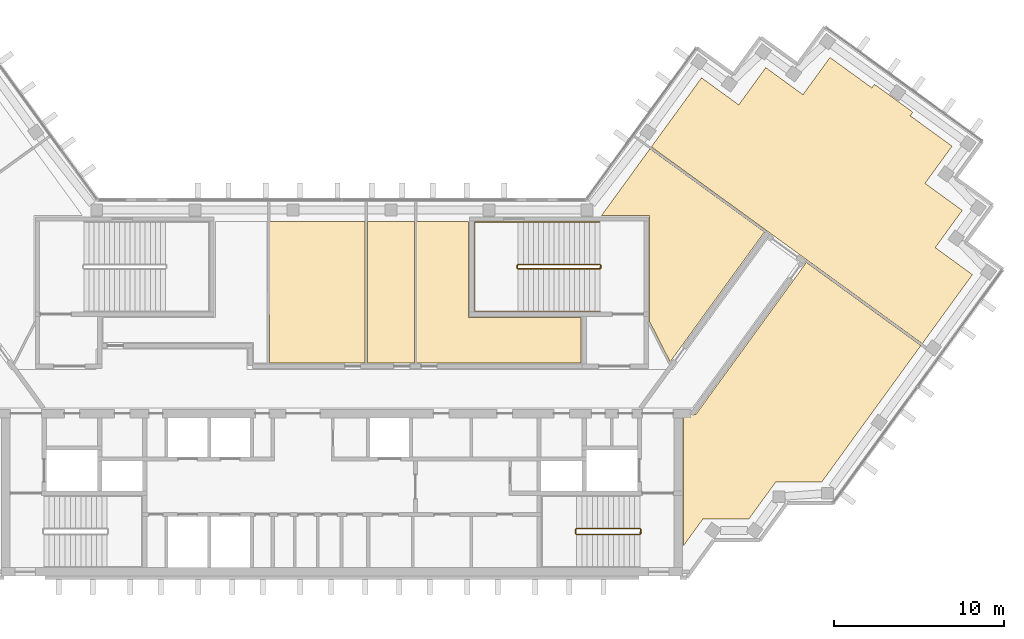
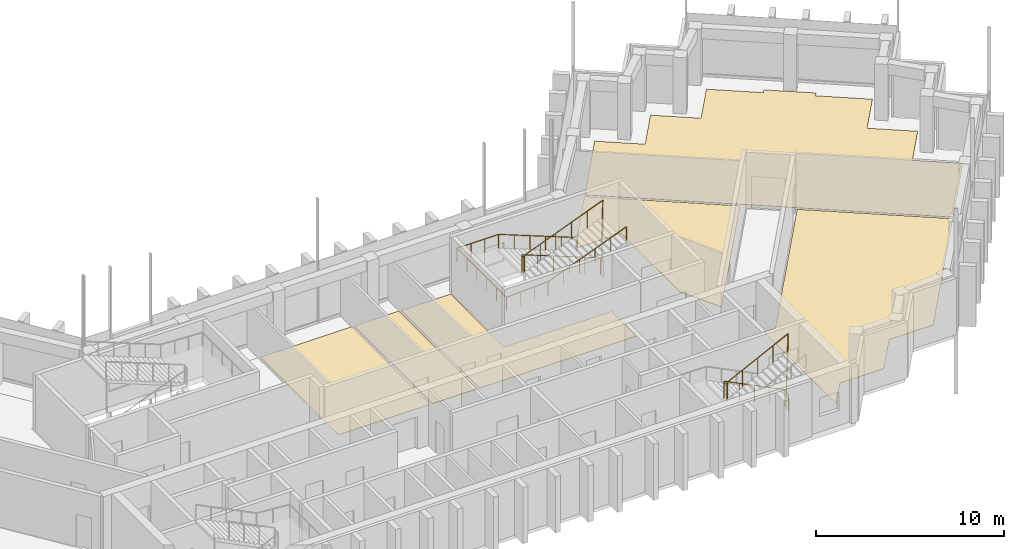
# One storey, part 14 of 14: 6 coverings, 3 railings.
"""IFC4 building model written with IfcOpenShell, lengths in metres."""

from ifc_helpers import new_model, si_unit, direction, frame, origin, origin_2d, place, context, subcontext, project, spatial, polyline, circle, outline, extrude, material, layer, layer_set, type_object, element, save


model = new_model("IFC4")

# Units and contexts
model_context = context("Model", 3, precision=1e-05, world=origin(), true_north=direction((0.0, 1.0)))
body_context = subcontext(model_context, "Body", "Model", "MODEL_VIEW")
ifc_project = project(units=[si_unit("LENGTHUNIT", "METRE"), si_unit("AREAUNIT", "SQUARE_METRE"), si_unit("VOLUMEUNIT", "CUBIC_METRE"), si_unit("PLANEANGLEUNIT", "RADIAN"), si_unit("MASSUNIT", "GRAM", prefix="KILO")], contexts=[model_context])

# Site, building, storey
site_placement = place(None, origin())
site = spatial("IfcSite", under=ifc_project, at=site_placement, CompositionType="ELEMENT")
building_placement = place(site_placement, origin())
building = spatial("IfcBuilding", under=site, at=building_placement, Name="Quipu Civic Tower", CompositionType="ELEMENT")
storey_placement = place(building_placement, frame((0.0, 0.0, 257.0)))
storey = spatial("IfcBuildingStorey", under=building, at=storey_placement, Name="L60", CompositionType="ELEMENT", Elevation=257.0)

# Coverings
ifc_material_1 = material(Name="Carpet tile on raised access floor")
ifc_layer_1 = layer(ifc_material_1, 0.02001953125)
ifc_layer_set_1 = layer_set([ifc_layer_1], Name="Carpet tile on raised access floor")
covering_type_1 = type_object("IfcCoveringType", Name="Carpet tile floor finish 20", PredefinedType="FLOORING", material=ifc_layer_set_1)
covering_1_placement = place(storey_placement, origin())
element("IfcCovering", 1, at=covering_1_placement, inside=storey, type_object=covering_type_1, Name="Carpet tile floor finish 20", PredefinedType="FLOORING", context=body_context, shape_type="SweptSolid", body=[
    extrude(outline(polyline([(15.238037109375, 10.169921875), (18.089111328125, 14.093994140625), (24.81201171875, 9.2109375), (19.27197265625, 1.583984375), (18.070068359375, 3.94189453125), (18.070068359375, 10.1689453125), (15.238037109375, 10.169921875)])), origin(), (0.0, 0.0, 1.0), 0.02001953125),
])
covering_2_placement = place(storey_placement, origin())
element("IfcCovering", 2, at=covering_2_placement, inside=storey, type_object=covering_type_1, Name="Carpet tile floor finish 20", PredefinedType="FLOORING", context=body_context, shape_type="SweptSolid", body=[
    extrude(outline(polyline([(-4.2490234375, 9.830078125), (1.368896484375, 9.830078125), (1.368896484375, 1.52001953125), (-4.2490234375, 1.52001953125), (-4.2490234375, 9.830078125)])), origin(), (0.0, 0.0, 1.0), 0.02001953125),
])
covering_3_placement = place(storey_placement, origin())
element("IfcCovering", 3, at=covering_3_placement, inside=storey, type_object=covering_type_1, Name="Carpet tile floor finish 20", PredefinedType="FLOORING", context=body_context, shape_type="SweptSolid", body=[
    extrude(outline(polyline([(18.172119140625, 14.20703125), (21.116943359375, 18.260986328125), (23.301025390625, 16.675048828125), (24.887939453125, 18.85791015625), (27.073974609375, 17.27197265625), (28.658935546875, 19.455078125), (31.116943359375, 17.6708984375), (31.27099609375, 17.8798828125), (33.52197265625, 16.2451171875), (33.3701171875, 16.032958984375), (35.826904296875, 14.248046875), (34.240966796875, 12.06396484375), (36.425048828125, 10.47607421875), (34.839111328125, 8.291015625), (37.02197265625, 6.7060546875), (34.077880859375, 2.652099609375), (18.172119140625, 14.20703125)])), origin(), (0.0, 0.0, 1.0), 0.02001953125),
])
covering_4_placement = place(storey_placement, origin())
element("IfcCovering", 4, at=covering_4_placement, inside=storey, type_object=covering_type_1, Name="Carpet tile floor finish 20", PredefinedType="FLOORING", context=body_context, shape_type="SweptSolid", body=[
    extrude(outline(polyline([(20.070068359375, -9.195068359375), (20.070068359375, -1.52001953125), (20.77490234375, -1.51904296875), (27.27197265625, 7.423095703125), (33.9951171875, 2.5390625), (28.181884765625, -5.4609375), (25.48193359375, -5.4619140625), (23.89501953125, -7.64599609375), (21.196044921875, -7.64599609375), (20.070068359375, -9.195068359375)])), origin(), (0.0, 0.0, 1.0), 0.02001953125),
])
covering_5_placement = place(storey_placement, origin())
element("IfcCovering", 5, at=covering_5_placement, inside=storey, type_object=covering_type_1, Name="Carpet tile floor finish 20", PredefinedType="FLOORING", context=body_context, shape_type="SweptSolid", body=[
    extrude(outline(polyline([(4.388916015625, 1.52001953125), (4.388916015625, 9.830078125), (7.429931640625, 9.830078125), (7.430908203125, 4.179931640625), (14.030029296875, 4.179931640625), (14.030029296875, 1.52001953125), (4.388916015625, 1.52001953125)])), origin(), (0.0, 0.0, 1.0), 0.02001953125),
])
ifc_material_2 = material(Name="Ceramic floor tile")
ifc_layer_2 = layer(ifc_material_2, 0.030029296875)
ifc_layer_set_2 = layer_set([ifc_layer_2], Name="Ceramic floor tile")
covering_type_2 = type_object("IfcCoveringType", Name="Ceramic tile floor finish 30", PredefinedType="FLOORING", material=ifc_layer_set_2)
covering_6_placement = place(storey_placement, origin())
element("IfcCovering", 6, at=covering_6_placement, inside=storey, type_object=covering_type_2, Name="Ceramic tile floor finish 30", PredefinedType="FLOORING", context=body_context, shape_type="SweptSolid", body=[
    extrude(outline(polyline([(1.510009765625, 1.52001953125), (1.510009765625, 9.830078125), (4.2490234375, 9.830078125), (4.2490234375, 1.52001953125), (1.510009765625, 1.52001953125)])), origin(), (0.0, 0.0, 1.0), 0.030029296875),
])

# Railings
ifc_material_3 = material(Name="Stainless steel", Category="steel")
railing_type_1 = type_object("IfcRailingType", Name="Stair guard 1100", PredefinedType="GUARDRAIL", material=ifc_material_3)
railing_1_placement = place(storey_placement, frame((17.5, -8.199951171875, 0.15380859375)))
element("IfcRailing", 7, at=railing_1_placement, inside=storey, type_object=railing_type_1, Name="Stair 2 guard", PredefinedType="GUARDRAIL", context=body_context, shape_type="SweptSolid", body=[
    extrude(circle(Radius=0.02392578125, at=origin_2d()), frame((0.0, 0.0, 1.076171875), z_axis=(-0.895751851347, 0.0, 0.444554407028), x_axis=(0.0, -1.0, 0.0)), (0.0, 0.0, 1.0), 4.15283203125),
    extrude(circle(Radius=0.02392578125, at=origin_2d()), frame((-3.719970703125, 0.0, 2.92236328125), z_axis=(-0.707106781187, -0.707106781187, 0.0), x_axis=(0.707106781187, -0.707106781187, 0.0)), (0.0, 0.0, 1.0), 0.07080078125),
    extrude(circle(Radius=0.02392578125, at=origin_2d()), frame((-3.77001953125, -0.050048828125, 2.92236328125), z_axis=(0.0, -1.0, 0.0), x_axis=(1.0, 0.0, 0.0)), (0.0, 0.0, 1.0), 0.25),
    extrude(circle(Radius=0.02392578125, at=origin_2d()), frame((-3.77001953125, -0.300048828125, 2.92236328125), z_axis=(0.295599637079, -0.295599637079, 0.908428152975), x_axis=(0.707106781187, 0.707106781187, 0.0)), (0.0, 0.0, 1.0), 0.16943359375),
    extrude(circle(Radius=0.02392578125, at=origin_2d()), frame((-3.719970703125, -0.35009765625, 3.076171875), z_axis=(0.895751851347, 0.0, 0.444554407028), x_axis=(0.0, 1.0, 0.0)), (0.0, 0.0, 1.0), 4.15283203125),
    extrude(circle(Radius=0.02392578125, at=origin_2d()), frame((0.0, -0.35009765625, 4.92236328125), z_axis=(0.012476181752, 0.074796231092, -0.997120789425), x_axis=(-0.986372223864, 0.164529134168, 0.0)), (0.0, 0.0, 1.0), 4.011474609375),
    extrude(circle(Radius=0.02392578125, at=origin_2d()), frame((0.050048828125, -0.050048828125, 0.92236328125), z_axis=(0.0, -1.0, 0.0), x_axis=(1.0, 0.0, 0.0)), (0.0, 0.0, 1.0), 0.25),
    extrude(circle(Radius=0.02099609375, at=origin_2d()), origin(), (0.0, 0.0, 1.0), 1.052001953125),
    extrude(circle(Radius=0.02099609375, at=origin_2d()), frame((-0.929931640625, 0.0, 0.46142578125)), (0.0, 0.0, 1.0), 1.052001953125),
    extrude(circle(Radius=0.02099609375, at=origin_2d()), frame((-1.85986328125, 0.0, 0.923095703125)), (0.0, 0.0, 1.0), 1.052001953125),
    extrude(circle(Radius=0.02099609375, at=origin_2d()), frame((-2.7900390625, 0.0, 1.384765625)), (0.0, 0.0, 1.0), 1.052001953125),
    extrude(circle(Radius=0.02099609375, at=origin_2d()), frame((-3.719970703125, 0.0, 1.84619140625)), (0.0, 0.0, 1.0), 1.052001953125),
    extrude(circle(Radius=0.02099609375, at=origin_2d()), frame((-3.77001953125, -0.050048828125, 1.84619140625)), (0.0, 0.0, 1.0), 1.052001953125),
    extrude(circle(Radius=0.02099609375, at=origin_2d()), frame((-3.77001953125, -0.300048828125, 1.84619140625)), (0.0, 0.0, 1.0), 1.052001953125),
    extrude(circle(Radius=0.02099609375, at=origin_2d()), frame((-3.719970703125, -0.35009765625, 2.0)), (0.0, 0.0, 1.0), 1.052001953125),
    extrude(circle(Radius=0.02099609375, at=origin_2d()), frame((-2.7900390625, -0.35009765625, 2.46142578125)), (0.0, 0.0, 1.0), 1.052001953125),
    extrude(circle(Radius=0.02099609375, at=origin_2d()), frame((-1.85986328125, -0.35009765625, 2.923095703125)), (0.0, 0.0, 1.0), 1.052001953125),
    extrude(circle(Radius=0.02099609375, at=origin_2d()), frame((-0.929931640625, -0.35009765625, 3.384765625)), (0.0, 0.0, 1.0), 1.052001953125),
    extrude(circle(Radius=0.02099609375, at=origin_2d()), frame((0.0, -0.35009765625, 3.84619140625)), (0.0, 0.0, 1.0), 1.052001953125),
    extrude(circle(Radius=0.02099609375, at=origin_2d()), frame((0.012451171875, -0.275146484375, 2.84619140625)), (0.0, 0.0, 1.0), 1.052001953125),
    extrude(circle(Radius=0.02099609375, at=origin_2d()), frame((0.02490234375, -0.2001953125, 1.84619140625)), (0.0, 0.0, 1.0), 1.052001953125),
    extrude(circle(Radius=0.02099609375, at=origin_2d()), frame((0.03759765625, -0.125, 0.84619140625)), (0.0, 0.0, 1.0), 1.052001953125),
    extrude(circle(Radius=0.02099609375, at=origin_2d()), frame((0.050048828125, -0.050048828125, -0.15380859375)), (0.0, 0.0, 1.0), 1.052001953125),
    extrude(circle(Radius=0.02099609375, at=origin_2d()), frame((0.050048828125, -0.300048828125, -0.15380859375)), (0.0, 0.0, 1.0), 1.052001953125),
])
railing_2_placement = place(storey_placement, frame((15.14990234375, 7.300048828125, 0.11767578125)))
element("IfcRailing", 8, at=railing_2_placement, inside=storey, type_object=railing_type_1, Name="Stair 4 guard", PredefinedType="GUARDRAIL", context=body_context, shape_type="SweptSolid", body=[
    extrude(circle(Radius=0.02392578125, at=origin_2d()), frame((0.0, 0.0, 1.076171875), z_axis=(-0.930970042603, 0.0, 0.365095576219), x_axis=(0.0, -1.0, 0.0)), (0.0, 0.0, 1.0), 5.15576171875),
    extrude(circle(Radius=0.02392578125, at=origin_2d()), frame((-4.7998046875, 0.0, 2.95849609375), z_axis=(-0.707106781187, -0.707106781187, 0.0), x_axis=(0.707106781187, -0.707106781187, 0.0)), (0.0, 0.0, 1.0), 0.07080078125),
    extrude(circle(Radius=0.02392578125, at=origin_2d()), frame((-4.849853515625, -0.050048828125, 2.95849609375), z_axis=(0.0, -1.0, 0.0), x_axis=(1.0, 0.0, 0.0)), (0.0, 0.0, 1.0), 0.14990234375),
    extrude(circle(Radius=0.02392578125, at=origin_2d()), frame((-4.849853515625, -0.199951171875, 2.95849609375), z_axis=(0.364463019033, -0.364463019033, 0.856932561824), x_axis=(0.707106781187, 0.707106781187, 0.0)), (0.0, 0.0, 1.0), 0.13720703125),
    extrude(circle(Radius=0.02392578125, at=origin_2d()), frame((-4.7998046875, -0.25, 3.076171875), z_axis=(0.930970042603, 0.0, 0.365095576219), x_axis=(0.0, 1.0, 0.0)), (0.0, 0.0, 1.0), 5.15576171875),
    extrude(circle(Radius=0.02392578125, at=origin_2d()), frame((0.0, -0.25, 4.95849609375), z_axis=(0.012495627992, 0.049921557685, -0.998674970829), x_axis=(-0.970072785993, 0.242814311512, 0.0)), (0.0, 0.0, 1.0), 4.00537109375),
    extrude(circle(Radius=0.02392578125, at=origin_2d()), frame((0.050048828125, -0.050048828125, 0.95849609375), z_axis=(0.0, -1.0, 0.0), x_axis=(1.0, 0.0, 0.0)), (0.0, 0.0, 1.0), 0.14990234375),
    extrude(circle(Radius=0.02099609375, at=origin_2d()), origin(), (0.0, 0.0, 1.0), 1.052001953125),
    extrude(circle(Radius=0.02099609375, at=origin_2d()), frame((-0.9599609375, 0.0, 0.37646484375)), (0.0, 0.0, 1.0), 1.052001953125),
    extrude(circle(Radius=0.02099609375, at=origin_2d()), frame((-1.919921875, 0.0, 0.7529296875)), (0.0, 0.0, 1.0), 1.052001953125),
    extrude(circle(Radius=0.02099609375, at=origin_2d()), frame((-2.8798828125, 0.0, 1.12939453125)), (0.0, 0.0, 1.0), 1.052001953125),
    extrude(circle(Radius=0.02099609375, at=origin_2d()), frame((-3.83984375, 0.0, 1.505859375)), (0.0, 0.0, 1.0), 1.052001953125),
    extrude(circle(Radius=0.02099609375, at=origin_2d()), frame((-4.7998046875, 0.0, 1.88232421875)), (0.0, 0.0, 1.0), 1.052001953125),
    extrude(circle(Radius=0.02099609375, at=origin_2d()), frame((-4.849853515625, -0.050048828125, 1.88232421875)), (0.0, 0.0, 1.0), 1.052001953125),
    extrude(circle(Radius=0.02099609375, at=origin_2d()), frame((-4.849853515625, -0.199951171875, 1.88232421875)), (0.0, 0.0, 1.0), 1.052001953125),
    extrude(circle(Radius=0.02099609375, at=origin_2d()), frame((-4.7998046875, -0.25, 2.0)), (0.0, 0.0, 1.0), 1.052001953125),
    extrude(circle(Radius=0.02099609375, at=origin_2d()), frame((-3.83984375, -0.25, 2.37646484375)), (0.0, 0.0, 1.0), 1.052001953125),
    extrude(circle(Radius=0.02099609375, at=origin_2d()), frame((-2.8798828125, -0.25, 2.7529296875)), (0.0, 0.0, 1.0), 1.052001953125),
    extrude(circle(Radius=0.02099609375, at=origin_2d()), frame((-1.919921875, -0.25, 3.12939453125)), (0.0, 0.0, 1.0), 1.052001953125),
    extrude(circle(Radius=0.02099609375, at=origin_2d()), frame((-0.9599609375, -0.25, 3.505859375)), (0.0, 0.0, 1.0), 1.052001953125),
    extrude(circle(Radius=0.02099609375, at=origin_2d()), frame((0.0, -0.25, 3.88232421875)), (0.0, 0.0, 1.0), 1.052001953125),
    extrude(circle(Radius=0.02099609375, at=origin_2d()), frame((0.012451171875, -0.199951171875, 2.88232421875)), (0.0, 0.0, 1.0), 1.052001953125),
    extrude(circle(Radius=0.02099609375, at=origin_2d()), frame((0.02490234375, -0.14990234375, 1.88232421875)), (0.0, 0.0, 1.0), 1.052001953125),
    extrude(circle(Radius=0.02099609375, at=origin_2d()), frame((0.03759765625, -0.10009765625, 0.88232421875)), (0.0, 0.0, 1.0), 1.052001953125),
    extrude(circle(Radius=0.02099609375, at=origin_2d()), frame((0.050048828125, -0.050048828125, -0.11767578125)), (0.0, 0.0, 1.0), 1.052001953125),
    extrude(circle(Radius=0.02099609375, at=origin_2d()), frame((0.050048828125, -0.199951171875, -0.11767578125)), (0.0, 0.0, 1.0), 1.052001953125),
])
ifc_material_4 = material(Name="Stainless steel", Category="steel")
railing_type_2 = type_object("IfcRailingType", Name="Stair handrail", PredefinedType="HANDRAIL", material=ifc_material_4)
railing_3_placement = place(storey_placement, frame((15.14990234375, 9.800048828125, 0.11767578125)))
element("IfcRailing", 9, at=railing_3_placement, inside=storey, type_object=railing_type_2, Name="Stair 4 handrail", PredefinedType="HANDRAIL", context=body_context, shape_type="SweptSolid", body=[
    extrude(circle(Radius=0.02392578125, at=origin_2d()), frame((0.0, 0.0, 0.8759765625), z_axis=(-0.930970042603, 0.0, 0.365095576219), x_axis=(0.0, -1.0, 0.0)), (0.0, 0.0, 1.0), 5.15576171875),
    extrude(circle(Radius=0.02392578125, at=origin_2d()), frame((-4.7998046875, 0.0, 2.75830078125), z_axis=(-1.0, 0.0, 0.0), x_axis=(0.0, -1.0, 0.0)), (0.0, 0.0, 1.0), 2.550048828125),
    extrude(circle(Radius=0.02392578125, at=origin_2d()), frame((-7.349853515625, 0.0, 2.75830078125), z_axis=(0.0, -1.0, 0.0), x_axis=(1.0, 0.0, 0.0)), (0.0, 0.0, 1.0), 5.25),
    extrude(circle(Radius=0.02392578125, at=origin_2d()), frame((-7.349853515625, -5.25, 2.75830078125), z_axis=(0.998936948642, 0.0, 0.04609742549), x_axis=(0.0, 1.0, 0.0)), (0.0, 0.0, 1.0), 2.552734375),
    extrude(circle(Radius=0.02392578125, at=origin_2d()), frame((-4.7998046875, -5.25, 2.8759765625), z_axis=(0.930970042603, 0.0, 0.365095576219), x_axis=(0.0, 1.0, 0.0)), (0.0, 0.0, 1.0), 5.15576171875),
    extrude(circle(Radius=0.02099609375, at=origin_2d()), origin(), (0.0, 0.0, 1.0), 0.851806640625),
    extrude(circle(Radius=0.02099609375, at=origin_2d()), frame((-0.9599609375, 0.0, 0.37646484375)), (0.0, 0.0, 1.0), 0.851806640625),
    extrude(circle(Radius=0.02099609375, at=origin_2d()), frame((-1.919921875, 0.0, 0.7529296875)), (0.0, 0.0, 1.0), 0.851806640625),
    extrude(circle(Radius=0.02099609375, at=origin_2d()), frame((-2.8798828125, 0.0, 1.12939453125)), (0.0, 0.0, 1.0), 0.851806640625),
    extrude(circle(Radius=0.02099609375, at=origin_2d()), frame((-3.83984375, 0.0, 1.505859375)), (0.0, 0.0, 1.0), 0.851806640625),
    extrude(circle(Radius=0.02099609375, at=origin_2d()), frame((-4.7998046875, 0.0, 1.88232421875)), (0.0, 0.0, 1.0), 0.851806640625),
    extrude(circle(Radius=0.02099609375, at=origin_2d()), frame((-5.64990234375, 0.0, 1.88232421875)), (0.0, 0.0, 1.0), 0.851806640625),
    extrude(circle(Radius=0.02099609375, at=origin_2d()), frame((-6.499755859375, 0.0, 1.88232421875)), (0.0, 0.0, 1.0), 0.851806640625),
    extrude(circle(Radius=0.02099609375, at=origin_2d()), frame((-7.349853515625, 0.0, 1.88232421875)), (0.0, 0.0, 1.0), 0.851806640625),
    extrude(circle(Radius=0.02099609375, at=origin_2d()), frame((-7.349853515625, -1.050048828125, 1.88232421875)), (0.0, 0.0, 1.0), 0.851806640625),
    extrude(circle(Radius=0.02099609375, at=origin_2d()), frame((-7.349853515625, -2.10009765625, 1.88232421875)), (0.0, 0.0, 1.0), 0.851806640625),
    extrude(circle(Radius=0.02099609375, at=origin_2d()), frame((-7.349853515625, -3.14990234375, 1.88232421875)), (0.0, 0.0, 1.0), 0.851806640625),
    extrude(circle(Radius=0.02099609375, at=origin_2d()), frame((-7.349853515625, -4.199951171875, 1.88232421875)), (0.0, 0.0, 1.0), 0.851806640625),
    extrude(circle(Radius=0.02099609375, at=origin_2d()), frame((-7.349853515625, -5.25, 1.88232421875)), (0.0, 0.0, 1.0), 0.851806640625),
    extrude(circle(Radius=0.02099609375, at=origin_2d()), frame((-6.499755859375, -5.25, 1.921630859375)), (0.0, 0.0, 1.0), 0.851806640625),
    extrude(circle(Radius=0.02099609375, at=origin_2d()), frame((-5.64990234375, -5.25, 1.960693359375)), (0.0, 0.0, 1.0), 0.851806640625),
    extrude(circle(Radius=0.02099609375, at=origin_2d()), frame((-4.7998046875, -5.25, 2.0)), (0.0, 0.0, 1.0), 0.851806640625),
    extrude(circle(Radius=0.02099609375, at=origin_2d()), frame((-3.83984375, -5.25, 2.37646484375)), (0.0, 0.0, 1.0), 0.851806640625),
    extrude(circle(Radius=0.02099609375, at=origin_2d()), frame((-2.8798828125, -5.25, 2.7529296875)), (0.0, 0.0, 1.0), 0.851806640625),
    extrude(circle(Radius=0.02099609375, at=origin_2d()), frame((-1.919921875, -5.25, 3.12939453125)), (0.0, 0.0, 1.0), 0.851806640625),
    extrude(circle(Radius=0.02099609375, at=origin_2d()), frame((-0.9599609375, -5.25, 3.505859375)), (0.0, 0.0, 1.0), 0.851806640625),
    extrude(circle(Radius=0.02099609375, at=origin_2d()), frame((0.0, -5.25, 3.88232421875)), (0.0, 0.0, 1.0), 0.851806640625),
])

save(model, "model.ifc")
